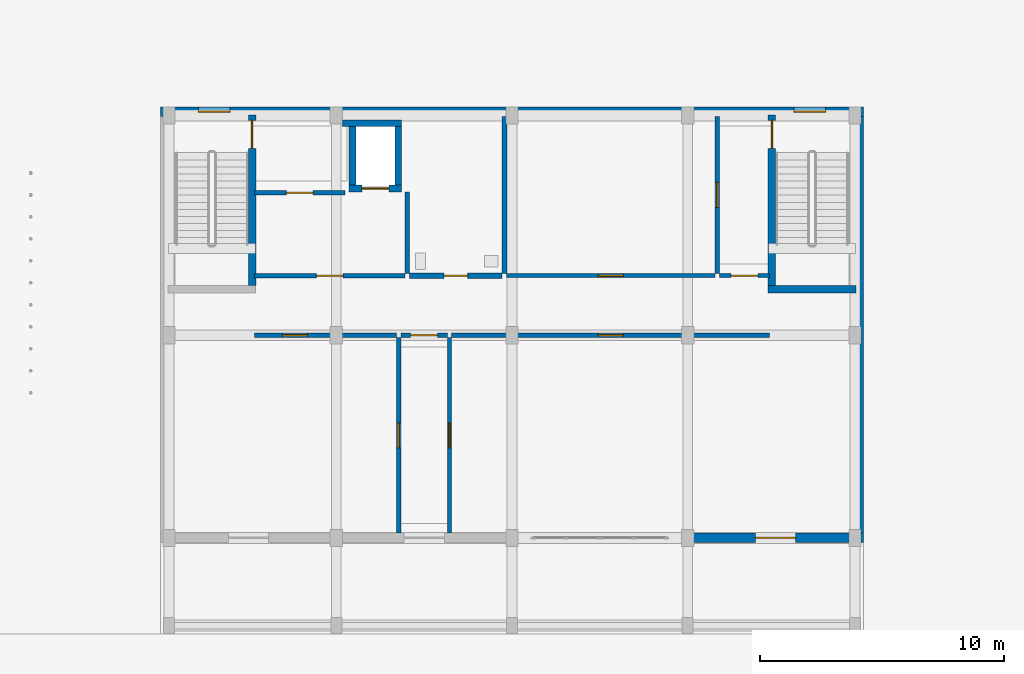
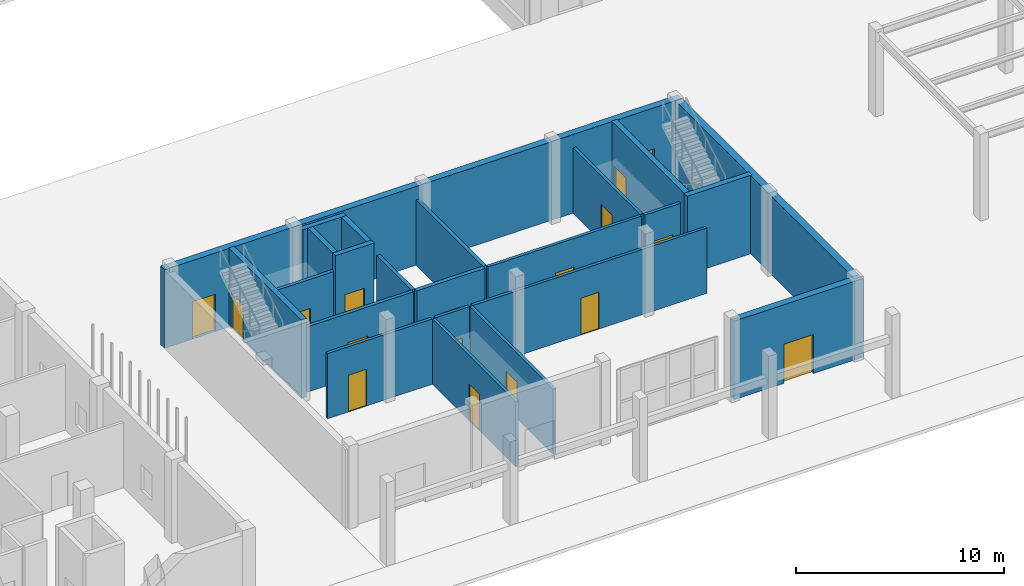
# One storey, part 38 of 85: 23 walls, 17 doors, 17 openings.
"""IFC4 building model written with IfcOpenShell, lengths in metres."""

from ifc_helpers import new_model, si_unit, derived_unit, direction, frame, frame_2d, origin, place, context, subcontext, project, spatial, rectangle, extrude, material, layer, layer_set, type_object, element, fill, save


model = new_model("IFC4")

# Units and contexts
model_context = context("Model", 3, precision=1e-05, world=origin(), true_north=direction((0.0, 1.0)))
body_context = subcontext(model_context, "Body", "Model", "MODEL_VIEW")
ifc_project = project(units=[si_unit("LENGTHUNIT", "METRE"), si_unit("AREAUNIT", "SQUARE_METRE"), si_unit("VOLUMEUNIT", "CUBIC_METRE"), si_unit("PLANEANGLEUNIT", "RADIAN"), si_unit("MASSUNIT", "GRAM", prefix="KILO"), derived_unit("THERMALTRANSMITTANCEUNIT", [(si_unit("MASSUNIT", "GRAM", prefix="KILO"), 1), (si_unit("TIMEUNIT", "SECOND"), -3), (si_unit("THERMODYNAMICTEMPERATUREUNIT", "KELVIN"), -1)])], contexts=[model_context])

# Site, building, storey
site_placement = place(None, origin())
site = spatial("IfcSite", under=ifc_project, at=site_placement, CompositionType="ELEMENT")
building_placement = place(site_placement, origin())
building = spatial("IfcBuilding", under=site, at=building_placement, Name="Ochrekiln Boulevard Commons", CompositionType="ELEMENT")
storey_placement = place(building_placement, origin())
storey = spatial("IfcBuildingStorey", under=building, at=storey_placement, Name="L00", CompositionType="ELEMENT", Elevation=0.0)

# Wall, openings, doors
ifc_material_1 = material(Name="Desert ochre clinker brick masonry ASTM C216 Grade SW", Category="masonry")
ifc_layer_1 = layer(ifc_material_1, 0.3798828125)
ifc_layer_set_1 = layer_set([ifc_layer_1], Name="Desert ochre clinker brick masonry ASTM C216 Grade SW")
wall_type_1 = type_object("IfcWallType", Name="WL-EXT-ARC-380", PredefinedType="SOLIDWALL", material=ifc_layer_set_1)
wall_1_placement = place(storey_placement, frame((28.800048828125, 21.409912109375, 0.0), z_axis=(0.0, 0.0, 1.0), x_axis=(1.0, 0.0, 0.0)))
wall_1 = element("IfcWall", 1, at=wall_1_placement, inside=storey, type_object=wall_type_1, Name="West Boulevard Arcade L00 N Exterior Wall", PredefinedType="SOLIDWALL", context=body_context, shape_type="SweptSolid", body=[
    extrude(rectangle(XDim=28.800048828125, YDim=0.3798828125, at=frame_2d((14.39990234375, 0.0))), origin(), (0.0, 0.0, 1.0), 4.625),
])
opening_1_placement = place(wall_1_placement, frame((1.550048828125, 0.0, 0.0)))
opening_1 = element("IfcOpeningElement", 2, at=opening_1_placement, cuts=wall_1, Name="Opening D-L00-AW1", PredefinedType="OPENING", context=body_context, shape_type="SweptSolid", body=[
    extrude(rectangle(XDim=1.300048828125, YDim=2.199951171875, at=frame_2d((0.64990234375, 1.10009765625))), frame((0.0, 0.199951171875, 0.0), z_axis=(0.0, -1.0, 0.0), x_axis=(1.0, 0.0, 0.0)), (0.0, 0.0, 1.0), 0.39990234375),
])
opening_2_placement = place(wall_1_placement, frame((25.949951171875, 0.0, 0.0)))
opening_2 = element("IfcOpeningElement", 3, at=opening_2_placement, cuts=wall_1, Name="Opening D-L00-AW2", PredefinedType="OPENING", context=body_context, shape_type="SweptSolid", body=[
    extrude(rectangle(XDim=1.300048828125, YDim=2.199951171875, at=frame_2d((0.64990234375, 1.10009765625))), frame((0.0, 0.199951171875, 0.0), z_axis=(0.0, -1.0, 0.0), x_axis=(1.0, 0.0, 0.0)), (0.0, 0.0, 1.0), 0.39990234375),
])
ifc_material_2 = material(Name="Bronze-anodized extruded aluminium 6063-T6", Category="aluminium")
door_type_1 = type_object("IfcDoorType", Name="DR-EXT-STAIR-130", OperationType="NOTDEFINED", PredefinedType="DOOR", material=ifc_material_2)
door_1_placement = place(opening_1_placement, origin())
door_1 = element("IfcDoor", 4, at=door_1_placement, inside=storey, type_object=door_type_1, Name="West Boulevard Arcade Stair ST-W1 Exterior Exit Door", OperationType="SINGLE_SWING_LEFT", OverallHeight=2.199951171875, OverallWidth=1.300048828125, PredefinedType="DOOR", context=body_context, shape_type="SweptSolid", body=[
    extrude(rectangle(XDim=1.300048828125, YDim=2.199951171875, at=frame_2d((0.64990234375, 1.10009765625))), frame((0.0, 0.02490234375, 0.0), z_axis=(0.0, -1.0, 0.0), x_axis=(1.0, 0.0, 0.0)), (0.0, 0.0, 1.0), 0.050048828125),
])
fill(opening_1, door_1)
door_2_placement = place(opening_2_placement, origin())
door_2 = element("IfcDoor", 5, at=door_2_placement, inside=storey, type_object=door_type_1, Name="West Boulevard Arcade Stair ST-W2 Exterior Exit Door", OperationType="SINGLE_SWING_LEFT", OverallHeight=2.199951171875, OverallWidth=1.300048828125, PredefinedType="DOOR", context=body_context, shape_type="SweptSolid", body=[
    extrude(rectangle(XDim=1.300048828125, YDim=2.199951171875, at=frame_2d((0.64990234375, 1.10009765625))), frame((0.0, 0.02490234375, 0.0), z_axis=(0.0, -1.0, 0.0), x_axis=(1.0, 0.0, 0.0)), (0.0, 0.0, 1.0), 0.050048828125),
])
fill(opening_2, door_2)

# Wall
wall_2_placement = place(storey_placement, frame((57.409912109375, 4.139892578125, 0.0), z_axis=(0.0, 0.0, 1.0), x_axis=(0.0, 1.0, 0.0)))
element("IfcWall", 6, at=wall_2_placement, inside=storey, type_object=wall_type_1, Name="West Boulevard Arcade L00 E Exterior Wall", PredefinedType="SOLIDWALL", context=body_context, shape_type="SweptSolid", body=[
    extrude(rectangle(XDim=17.080078125, YDim=0.3798828125, at=frame_2d((8.5400390625, 0.0))), origin(), (0.0, 0.0, 1.0), 4.625),
])

# Wall, opening, door
wall_3_placement = place(storey_placement, frame((50.39990234375, 3.949951171875, 0.0), z_axis=(0.0, 0.0, 1.0), x_axis=(1.0, 0.0, 0.0)))
wall_3 = element("IfcWall", 7, at=wall_3_placement, inside=storey, type_object=wall_type_1, Name="West Boulevard Arcade Shopfront Portal Wall 4", PredefinedType="SOLIDWALL", context=body_context, shape_type="SweptSolid", body=[
    extrude(rectangle(XDim=7.2001953125, YDim=0.3798828125, at=frame_2d((3.60009765625, 0.0))), origin(), (0.0, 0.0, 1.0), 4.625),
])
opening_3_placement = place(wall_3_placement, frame((2.77490234375, 0.0, 0.0)))
opening_3 = element("IfcOpeningElement", 8, at=opening_3_placement, cuts=wall_3, Name="Opening D-L00-SHW4", PredefinedType="OPENING", context=body_context, shape_type="SweptSolid", body=[
    extrude(rectangle(XDim=1.64990234375, YDim=2.300048828125, at=frame_2d((0.824951171875, 1.14990234375))), frame((0.0, 0.199951171875, 0.0), z_axis=(0.0, -1.0, 0.0), x_axis=(1.0, 0.0, 0.0)), (0.0, 0.0, 1.0), 0.39990234375),
])
door_type_2 = type_object("IfcDoorType", Name="DR-EXT-SHOP-165", OperationType="DOUBLE_DOOR_SINGLE_SWING", PredefinedType="DOOR", material=ifc_material_2)
door_3_placement = place(opening_3_placement, frame((1.64990234375, 0.0, 0.0), z_axis=(0.0, 0.0, 1.0), x_axis=(-1.0, 0.0, 0.0)))
door_3 = element("IfcDoor", 9, at=door_3_placement, inside=storey, type_object=door_type_2, Name="West Boulevard Arcade Retail Shop Entrance Door 4", OperationType="DOUBLE_DOOR_SINGLE_SWING", OverallHeight=2.300048828125, OverallWidth=1.64990234375, PredefinedType="DOOR", context=body_context, shape_type="SweptSolid", body=[
    extrude(rectangle(XDim=1.64990234375, YDim=2.300048828125, at=frame_2d((0.824951171875, 1.14990234375))), frame((0.0, 0.02490234375, 0.0), z_axis=(0.0, -1.0, 0.0), x_axis=(1.0, 0.0, 0.0)), (0.0, 0.0, 1.0), 0.050048828125),
])
fill(opening_3, door_3)

# Walls
ifc_material_3 = material(Name="Moisture-resistant cementitious tile backer wall")
ifc_layer_2 = layer(ifc_material_3, 0.199951171875)
ifc_layer_set_2 = layer_set([ifc_layer_2], Name="Moisture-resistant cementitious tile backer wall")
wall_type_2 = type_object("IfcWallType", Name="WL-PLM-200", PredefinedType="PLUMBINGWALL", material=ifc_layer_set_2)
wall_4_placement = place(storey_placement, frame((38.909912109375, 14.780029296875, 0.0), z_axis=(0.0, 0.0, 1.0), x_axis=(0.0, 1.0, 0.0)))
element("IfcWall", 10, at=wall_4_placement, inside=storey, type_object=wall_type_2, Name="L00 Interior Wall W-PW200", PredefinedType="PLUMBINGWALL", context=body_context, shape_type="SweptSolid", body=[
    extrude(rectangle(XDim=3.344970703125, YDim=0.199951171875, at=frame_2d((1.67236328125, 0.0))), origin(), (0.0, 0.0, 1.0), 3.840087890625),
])
wall_5_placement = place(storey_placement, frame((42.889892578125, 14.77197265625, 0.0), z_axis=(0.0, 0.0, 1.0), x_axis=(0.0, 1.0, 0.0)))
element("IfcWall", 11, at=wall_5_placement, inside=storey, type_object=wall_type_2, Name="L00 Interior Wall W-PW200", PredefinedType="PLUMBINGWALL", context=body_context, shape_type="SweptSolid", body=[
    extrude(rectangle(XDim=6.447998046875, YDim=0.199951171875, at=frame_2d((3.22412109375, 0.0))), origin(), (0.0, 0.0, 1.0), 3.840087890625),
])

# Wall, opening, door
ifc_layer_3 = layer(ifc_material_3, 0.219970703125)
ifc_layer_set_3 = layer_set([ifc_layer_3], Name="Moisture-resistant cementitious tile backer wall")
wall_type_3 = type_object("IfcWallType", Name="WL-PLM-220", PredefinedType="PLUMBINGWALL", material=ifc_layer_set_3)
wall_6_placement = place(storey_placement, frame((39.0, 14.68994140625, 0.0), z_axis=(0.0, 0.0, 1.0), x_axis=(1.0, 0.0, 0.0)))
wall_6 = element("IfcWall", 12, at=wall_6_placement, inside=storey, type_object=wall_type_3, Name="L00 Interior Wall W-PW220", PredefinedType="PLUMBINGWALL", context=body_context, shape_type="SweptSolid", body=[
    extrude(rectangle(XDim=3.800048828125, YDim=0.219970703125, at=frame_2d((1.89990234375, 0.0))), origin(), (0.0, 0.0, 1.0), 3.840087890625),
])
opening_4_placement = place(wall_6_placement, frame((1.419921875, 0.0, 0.0)))
opening_4 = element("IfcOpeningElement", 13, at=opening_4_placement, cuts=wall_6, Name="Opening D-L00-134", PredefinedType="OPENING", context=body_context, shape_type="SweptSolid", body=[
    extrude(rectangle(XDim=0.9599609375, YDim=2.050048828125, at=frame_2d((0.47998046875, 1.02490234375))), frame((0.0, 0.119873046875, 0.0), z_axis=(0.0, -1.0, 0.0), x_axis=(1.0, 0.0, 0.0)), (0.0, 0.0, 1.0), 0.239990234375),
])
ifc_material_4 = material(Name="Solid core architectural oak door leaf")
door_type_3 = type_object("IfcDoorType", Name="DR-INT-ADA-096", OperationType="NOTDEFINED", PredefinedType="DOOR", material=ifc_material_4)
door_4_placement = place(opening_4_placement, origin())
door_4 = element("IfcDoor", 14, at=door_4_placement, inside=storey, type_object=door_type_3, Name="L00 Interior Door to Shopfront Accessible WC", OperationType="SINGLE_SWING_RIGHT", OverallHeight=2.050048828125, OverallWidth=0.9599609375, PredefinedType="DOOR", context=body_context, shape_type="SweptSolid", body=[
    extrude(rectangle(XDim=0.9599609375, YDim=2.050048828125, at=frame_2d((0.47998046875, 1.02490234375))), frame((0.0, 0.02490234375, 0.0), z_axis=(0.0, -1.0, 0.0), x_axis=(1.0, 0.0, 0.0)), (0.0, 0.0, 1.0), 0.050048828125),
])
fill(opening_4, door_4)

ifc_material_5 = material(Name="Fire-rated Type X gypsum board on steel studs", Category="steel")
ifc_layer_4 = layer(ifc_material_5, 0.1650390625)
ifc_layer_set_4 = layer_set([ifc_layer_4], Name="Fire-rated Type X gypsum board on steel studs")
wall_type_4 = type_object("IfcWallType", Name="WL-PT-CORR-165", PredefinedType="PARTITIONING", material=ifc_layer_set_4)
wall_7_placement = place(storey_placement, frame((38.64990234375, 12.25, 0.0), z_axis=(0.0, 0.0, 1.0), x_axis=(1.0, 0.0, 0.0)))
wall_7 = element("IfcWall", 15, at=wall_7_placement, inside=storey, type_object=wall_type_4, Name="L00 Interior Wall W-PC165", PredefinedType="PARTITIONING", context=body_context, shape_type="SweptSolid", body=[
    extrude(rectangle(XDim=1.900146484375, YDim=0.1650390625, at=frame_2d((0.9501953125, 0.0))), origin(), (0.0, 0.0, 1.0), 3.840087890625),
])
opening_5_placement = place(wall_7_placement, frame((0.39990234375, 0.0, 0.0)))
opening_5 = element("IfcOpeningElement", 16, at=opening_5_placement, cuts=wall_7, Name="Opening D-L00-126", PredefinedType="OPENING", context=body_context, shape_type="SweptSolid", body=[
    extrude(rectangle(XDim=1.10009765625, YDim=2.1201171875, at=frame_2d((0.550048828125, 1.06005859375))), frame((0.0, 0.092529296875, 0.0), z_axis=(0.0, -1.0, 0.0), x_axis=(1.0, 0.0, 0.0)), (0.0, 0.0, 1.0), 0.18505859375),
])
ifc_material_6 = material(Name="Hollow metal fire-rated steel door assembly", Category="steel")
door_type_4 = type_object("IfcDoorType", Name="DR-LOBBY-60", OperationType="NOTDEFINED", PredefinedType="DOOR", material=ifc_material_6)
door_5_placement = place(opening_5_placement, origin())
door_5 = element("IfcDoor", 17, at=door_5_placement, inside=storey, type_object=door_type_4, Name="L00 Interior Door to Arcade Rear Service Corridor", OperationType="SINGLE_SWING_RIGHT", OverallHeight=2.1201171875, OverallWidth=1.10009765625, PredefinedType="DOOR", context=body_context, shape_type="SweptSolid", body=[
    extrude(rectangle(XDim=1.10009765625, YDim=2.1201171875, at=frame_2d((0.550048828125, 1.06005859375))), frame((0.0, 0.02490234375, 0.0), z_axis=(0.0, -1.0, 0.0), x_axis=(1.0, 0.0, 0.0)), (0.0, 0.0, 1.0), 0.050048828125),
])
fill(opening_5, door_5)

wall_8_placement = place(storey_placement, frame((38.56005859375, 4.139892578125, 0.0), z_axis=(0.0, 0.0, 1.0), x_axis=(0.0, 1.0, 0.0)))
wall_8 = element("IfcWall", 18, at=wall_8_placement, inside=storey, type_object=wall_type_4, Name="L00 Interior Wall W-PC165", PredefinedType="PARTITIONING", context=body_context, shape_type="SweptSolid", body=[
    extrude(rectangle(XDim=8.028076171875, YDim=0.1650390625, at=frame_2d((4.01416015625, 0.0))), origin(), (0.0, 0.0, 1.0), 3.840087890625),
])
opening_6_placement = place(wall_8_placement, frame((3.5, 0.0, 0.0)))
opening_6 = element("IfcOpeningElement", 19, at=opening_6_placement, cuts=wall_8, Name="Opening D-L00-127", PredefinedType="OPENING", context=body_context, shape_type="SweptSolid", body=[
    extrude(rectangle(XDim=1.02001953125, YDim=2.159912109375, at=frame_2d((0.510009765625, 1.080078125))), frame((0.0, 0.092529296875, 0.0), z_axis=(0.0, -1.0, 0.0), x_axis=(1.0, 0.0, 0.0)), (0.0, 0.0, 1.0), 0.18505859375),
])
door_type_5 = type_object("IfcDoorType", Name="DR-INT-CIV-102", OperationType="NOTDEFINED", PredefinedType="DOOR", material=ifc_material_4)
door_6_placement = place(opening_6_placement, origin())
door_6 = element("IfcDoor", 20, at=door_6_placement, inside=storey, type_object=door_type_5, Name="L00 Interior Door to Neighborhood Grocery Co-op Retail Shop", OperationType="SINGLE_SWING_LEFT", OverallHeight=2.159912109375, OverallWidth=1.02001953125, PredefinedType="DOOR", context=body_context, shape_type="SweptSolid", body=[
    extrude(rectangle(XDim=1.02001953125, YDim=2.159912109375, at=frame_2d((0.510009765625, 1.080078125))), frame((0.0, 0.02490234375, 0.0), z_axis=(0.0, -1.0, 0.0), x_axis=(1.0, 0.0, 0.0)), (0.0, 0.0, 1.0), 0.050048828125),
])
fill(opening_6, door_6)

wall_9_placement = place(storey_placement, frame((40.639892578125, 4.139892578125, 0.0), z_axis=(0.0, 0.0, 1.0), x_axis=(0.0, 1.0, 0.0)))
wall_9 = element("IfcWall", 21, at=wall_9_placement, inside=storey, type_object=wall_type_4, Name="L00 Interior Wall W-PC165", PredefinedType="PARTITIONING", context=body_context, shape_type="SweptSolid", body=[
    extrude(rectangle(XDim=8.028076171875, YDim=0.1650390625, at=frame_2d((4.01416015625, 0.0))), origin(), (0.0, 0.0, 1.0), 3.840087890625),
])
opening_7_placement = place(wall_9_placement, frame((3.5, 0.0, 0.0)))
opening_7 = element("IfcOpeningElement", 22, at=opening_7_placement, cuts=wall_9, Name="Opening D-L00-128", PredefinedType="OPENING", context=body_context, shape_type="SweptSolid", body=[
    extrude(rectangle(XDim=1.02001953125, YDim=2.159912109375, at=frame_2d((0.510009765625, 1.080078125))), frame((0.0, 0.092529296875, 0.0), z_axis=(0.0, -1.0, 0.0), x_axis=(1.0, 0.0, 0.0)), (0.0, 0.0, 1.0), 0.18505859375),
])
door_7_placement = place(opening_7_placement, frame((1.02001953125, 0.0, 0.0), z_axis=(0.0, 0.0, 1.0), x_axis=(-1.0, 0.0, 0.0)))
door_7 = element("IfcDoor", 23, at=door_7_placement, inside=storey, type_object=door_type_5, Name="L00 Interior Door to Community Pharmacy and Dry Goods Retail Shop", OperationType="SINGLE_SWING_RIGHT", OverallHeight=2.159912109375, OverallWidth=1.02001953125, PredefinedType="DOOR", context=body_context, shape_type="SweptSolid", body=[
    extrude(rectangle(XDim=1.02001953125, YDim=2.159912109375, at=frame_2d((0.510009765625, 1.080078125))), frame((0.0, 0.02490234375, 0.0), z_axis=(0.0, -1.0, 0.0), x_axis=(1.0, 0.0, 0.0)), (0.0, 0.0, 1.0), 0.050048828125),
])
fill(opening_7, door_7)

wall_10_placement = place(storey_placement, frame((51.699951171875, 14.68994140625, 0.0), z_axis=(0.0, 0.0, 1.0), x_axis=(1.0, 0.0, 0.0)))
wall_10 = element("IfcWall", 24, at=wall_10_placement, inside=storey, type_object=wall_type_4, Name="L00 Interior Wall W-PC165", PredefinedType="PARTITIONING", context=body_context, shape_type="SweptSolid", body=[
    extrude(rectangle(XDim=2.050048828125, YDim=0.1650390625, at=frame_2d((1.02490234375, 0.0))), origin(), (0.0, 0.0, 1.0), 3.840087890625),
])
opening_8_placement = place(wall_10_placement, frame((0.47509765625, 0.0, 0.0)))
opening_8 = element("IfcOpeningElement", 25, at=opening_8_placement, cuts=wall_10, Name="Opening D-L00-131", PredefinedType="OPENING", context=body_context, shape_type="SweptSolid", body=[
    extrude(rectangle(XDim=1.10009765625, YDim=2.1201171875, at=frame_2d((0.550048828125, 1.06005859375))), frame((0.0, 0.092529296875, 0.0), z_axis=(0.0, -1.0, 0.0), x_axis=(1.0, 0.0, 0.0)), (0.0, 0.0, 1.0), 0.18505859375),
])
door_8_placement = place(opening_8_placement, origin())
door_8 = element("IfcDoor", 26, at=door_8_placement, inside=storey, type_object=door_type_4, Name="L00 Interior Door to Arcade East Stair Corridor", OperationType="SINGLE_SWING_LEFT", OverallHeight=2.1201171875, OverallWidth=1.10009765625, PredefinedType="DOOR", context=body_context, shape_type="SweptSolid", body=[
    extrude(rectangle(XDim=1.10009765625, YDim=2.1201171875, at=frame_2d((0.550048828125, 1.06005859375))), frame((0.0, 0.02490234375, 0.0), z_axis=(0.0, -1.0, 0.0), x_axis=(1.0, 0.0, 0.0)), (0.0, 0.0, 1.0), 0.050048828125),
])
fill(opening_8, door_8)

wall_11_placement = place(storey_placement, frame((32.64990234375, 12.25, 0.0), z_axis=(0.0, 0.0, 1.0), x_axis=(1.0, 0.0, 0.0)))
wall_11 = element("IfcWall", 27, at=wall_11_placement, inside=storey, type_object=wall_type_4, Name="L00 Interior Wall W-PC165", PredefinedType="PARTITIONING", context=body_context, shape_type="SweptSolid", body=[
    extrude(rectangle(XDim=5.8271484375, YDim=0.1650390625, at=frame_2d((2.91357421875, 0.0))), origin(), (0.0, 0.0, 1.0), 3.840087890625),
])
opening_9_placement = place(wall_11_placement, frame((1.14990234375, 0.0, 0.0)))
opening_9 = element("IfcOpeningElement", 28, at=opening_9_placement, cuts=wall_11, Name="Opening D-L00-132", PredefinedType="OPENING", context=body_context, shape_type="SweptSolid", body=[
    extrude(rectangle(XDim=1.02001953125, YDim=2.159912109375, at=frame_2d((0.510009765625, 1.080078125))), frame((0.0, 0.092529296875, 0.0), z_axis=(0.0, -1.0, 0.0), x_axis=(1.0, 0.0, 0.0)), (0.0, 0.0, 1.0), 0.18505859375),
])
door_9_placement = place(opening_9_placement, frame((1.02001953125, 0.0, 0.0), z_axis=(0.0, 0.0, 1.0), x_axis=(-1.0, 0.0, 0.0)))
door_9 = element("IfcDoor", 29, at=door_9_placement, inside=storey, type_object=door_type_5, Name="L00 Interior Door to Neighborhood Grocery Co-op Retail Shop", OperationType="SINGLE_SWING_RIGHT", OverallHeight=2.159912109375, OverallWidth=1.02001953125, PredefinedType="DOOR", context=body_context, shape_type="SweptSolid", body=[
    extrude(rectangle(XDim=1.02001953125, YDim=2.159912109375, at=frame_2d((0.510009765625, 1.080078125))), frame((0.0, 0.02490234375, 0.0), z_axis=(0.0, -1.0, 0.0), x_axis=(1.0, 0.0, 0.0)), (0.0, 0.0, 1.0), 0.050048828125),
])
fill(opening_9, door_9)

wall_12_placement = place(storey_placement, frame((40.722900390625, 12.25, 0.0), z_axis=(0.0, 0.0, 1.0), x_axis=(1.0, 0.0, 0.0)))
wall_12 = element("IfcWall", 30, at=wall_12_placement, inside=storey, type_object=wall_type_4, Name="L00 Interior Wall W-PC165", PredefinedType="PARTITIONING", context=body_context, shape_type="SweptSolid", body=[
    extrude(rectangle(XDim=13.027099609375, YDim=0.1650390625, at=frame_2d((6.513671875, 0.0))), origin(), (0.0, 0.0, 1.0), 3.840087890625),
])
opening_10_placement = place(wall_12_placement, frame((6.007080078125, 0.0, 0.0)))
opening_10 = element("IfcOpeningElement", 31, at=opening_10_placement, cuts=wall_12, Name="Opening D-L00-133", PredefinedType="OPENING", context=body_context, shape_type="SweptSolid", body=[
    extrude(rectangle(XDim=1.02001953125, YDim=2.159912109375, at=frame_2d((0.510009765625, 1.080078125))), frame((0.0, 0.092529296875, 0.0), z_axis=(0.0, -1.0, 0.0), x_axis=(1.0, 0.0, 0.0)), (0.0, 0.0, 1.0), 0.18505859375),
])
door_10_placement = place(opening_10_placement, frame((1.02001953125, 0.0, 0.0), z_axis=(0.0, 0.0, 1.0), x_axis=(-1.0, 0.0, 0.0)))
door_10 = element("IfcDoor", 32, at=door_10_placement, inside=storey, type_object=door_type_5, Name="L00 Interior Door to Community Pharmacy and Dry Goods Retail Shop", OperationType="SINGLE_SWING_LEFT", OverallHeight=2.159912109375, OverallWidth=1.02001953125, PredefinedType="DOOR", context=body_context, shape_type="SweptSolid", body=[
    extrude(rectangle(XDim=1.02001953125, YDim=2.159912109375, at=frame_2d((0.510009765625, 1.080078125))), frame((0.0, 0.02490234375, 0.0), z_axis=(0.0, -1.0, 0.0), x_axis=(1.0, 0.0, 0.0)), (0.0, 0.0, 1.0), 0.050048828125),
])
fill(opening_10, door_10)

wall_13_placement = place(storey_placement, frame((42.97998046875, 14.68994140625, 0.0), z_axis=(0.0, 0.0, 1.0), x_axis=(1.0, 0.0, 0.0)))
wall_13 = element("IfcWall", 33, at=wall_13_placement, inside=storey, type_object=wall_type_4, Name="L00 Interior Wall W-PC165", PredefinedType="PARTITIONING", context=body_context, shape_type="SweptSolid", body=[
    extrude(rectangle(XDim=8.5400390625, YDim=0.1650390625, at=frame_2d((4.27001953125, 0.0))), origin(), (0.0, 0.0, 1.0), 3.840087890625),
])
opening_11_placement = place(wall_13_placement, frame((3.760009765625, 0.0, 0.0)))
opening_11 = element("IfcOpeningElement", 34, at=opening_11_placement, cuts=wall_13, Name="Opening D-L00-135", PredefinedType="OPENING", context=body_context, shape_type="SweptSolid", body=[
    extrude(rectangle(XDim=1.02001953125, YDim=2.159912109375, at=frame_2d((0.510009765625, 1.080078125))), frame((0.0, 0.092529296875, 0.0), z_axis=(0.0, -1.0, 0.0), x_axis=(1.0, 0.0, 0.0)), (0.0, 0.0, 1.0), 0.18505859375),
])
door_11_placement = place(opening_11_placement, origin())
door_11 = element("IfcDoor", 35, at=door_11_placement, inside=storey, type_object=door_type_5, Name="L00 Interior Door to Cafe Kitchen and Retail Stockroom", OperationType="SINGLE_SWING_LEFT", OverallHeight=2.159912109375, OverallWidth=1.02001953125, PredefinedType="DOOR", context=body_context, shape_type="SweptSolid", body=[
    extrude(rectangle(XDim=1.02001953125, YDim=2.159912109375, at=frame_2d((0.510009765625, 1.080078125))), frame((0.0, 0.02490234375, 0.0), z_axis=(0.0, -1.0, 0.0), x_axis=(1.0, 0.0, 0.0)), (0.0, 0.0, 1.0), 0.050048828125),
])
fill(opening_11, door_11)

wall_14_placement = place(storey_placement, frame((51.610107421875, 14.77197265625, 0.0), z_axis=(0.0, 0.0, 1.0), x_axis=(0.0, 1.0, 0.0)))
wall_14 = element("IfcWall", 36, at=wall_14_placement, inside=storey, type_object=wall_type_4, Name="L00 Interior Wall W-PC165", PredefinedType="PARTITIONING", context=body_context, shape_type="SweptSolid", body=[
    extrude(rectangle(XDim=6.447998046875, YDim=0.1650390625, at=frame_2d((3.22412109375, 0.0))), origin(), (0.0, 0.0, 1.0), 3.840087890625),
])
opening_12_placement = place(wall_14_placement, frame((2.718017578125, 0.0, 0.0)))
opening_12 = element("IfcOpeningElement", 37, at=opening_12_placement, cuts=wall_14, Name="Opening D-L00-136", PredefinedType="OPENING", context=body_context, shape_type="SweptSolid", body=[
    extrude(rectangle(XDim=1.02001953125, YDim=2.159912109375, at=frame_2d((0.510009765625, 1.080078125))), frame((0.0, 0.092529296875, 0.0), z_axis=(0.0, -1.0, 0.0), x_axis=(1.0, 0.0, 0.0)), (0.0, 0.0, 1.0), 0.18505859375),
])
door_12_placement = place(opening_12_placement, origin())
door_12 = element("IfcDoor", 38, at=door_12_placement, inside=storey, type_object=door_type_5, Name="L00 Interior Door to Cafe Kitchen and Retail Stockroom", OperationType="SINGLE_SWING_RIGHT", OverallHeight=2.159912109375, OverallWidth=1.02001953125, PredefinedType="DOOR", context=body_context, shape_type="SweptSolid", body=[
    extrude(rectangle(XDim=1.02001953125, YDim=2.159912109375, at=frame_2d((0.510009765625, 1.080078125))), frame((0.0, 0.02490234375, 0.0), z_axis=(0.0, -1.0, 0.0), x_axis=(1.0, 0.0, 0.0)), (0.0, 0.0, 1.0), 0.050048828125),
])
fill(opening_12, door_12)

ifc_layer_5 = layer(ifc_material_5, 0.18994140625)
ifc_layer_set_5 = layer_set([ifc_layer_5], Name="Fire-rated Type X gypsum board on steel studs")
wall_type_5 = type_object("IfcWallType", Name="WL-PT-LBY-190", PredefinedType="PARTITIONING", material=ifc_layer_set_5)
wall_15_placement = place(storey_placement, frame((32.64990234375, 18.090087890625, 0.0), z_axis=(0.0, 0.0, 1.0), x_axis=(1.0, 0.0, 0.0)))
wall_15 = element("IfcWall", 39, at=wall_15_placement, inside=storey, type_object=wall_type_5, Name="L00 Interior Wall W-PL190", PredefinedType="PARTITIONING", context=body_context, shape_type="SweptSolid", body=[
    extrude(rectangle(XDim=3.7001953125, YDim=0.18994140625, at=frame_2d((1.85009765625, 0.0))), origin(), (0.0, 0.0, 1.0), 3.840087890625),
])
opening_13_placement = place(wall_15_placement, frame((1.300048828125, 0.0, 0.0)))
opening_13 = element("IfcOpeningElement", 40, at=opening_13_placement, cuts=wall_15, Name="Opening D-L00-129", PredefinedType="OPENING", context=body_context, shape_type="SweptSolid", body=[
    extrude(rectangle(XDim=1.10009765625, YDim=2.1201171875, at=frame_2d((0.550048828125, 1.06005859375))), frame((0.0, 0.10498046875, 0.0), z_axis=(0.0, -1.0, 0.0), x_axis=(1.0, 0.0, 0.0)), (0.0, 0.0, 1.0), 0.2099609375),
])
door_13_placement = place(opening_13_placement, frame((1.10009765625, 0.0, 0.0), z_axis=(0.0, 0.0, 1.0), x_axis=(-1.0, 0.0, 0.0)))
door_13 = element("IfcDoor", 41, at=door_13_placement, inside=storey, type_object=door_type_4, Name="L00 Interior Door to Passenger Elevator Lobby", OperationType="SINGLE_SWING_LEFT", OverallHeight=2.1201171875, OverallWidth=1.10009765625, PredefinedType="DOOR", context=body_context, shape_type="SweptSolid", body=[
    extrude(rectangle(XDim=1.10009765625, YDim=2.1201171875, at=frame_2d((0.550048828125, 1.06005859375))), frame((0.0, 0.02490234375, 0.0), z_axis=(0.0, -1.0, 0.0), x_axis=(1.0, 0.0, 0.0)), (0.0, 0.0, 1.0), 0.050048828125),
])
fill(opening_13, door_13)

wall_16_placement = place(storey_placement, frame((32.64990234375, 14.68994140625, 0.0), z_axis=(0.0, 0.0, 1.0), x_axis=(1.0, 0.0, 0.0)))
wall_16 = element("IfcWall", 42, at=wall_16_placement, inside=storey, type_object=wall_type_5, Name="L00 Interior Wall W-PL190", PredefinedType="PARTITIONING", context=body_context, shape_type="SweptSolid", body=[
    extrude(rectangle(XDim=6.170166015625, YDim=0.18994140625, at=frame_2d((3.0849609375, 0.0))), origin(), (0.0, 0.0, 1.0), 3.840087890625),
])
opening_14_placement = place(wall_16_placement, frame((2.534912109375, 0.0, 0.0)))
opening_14 = element("IfcOpeningElement", 43, at=opening_14_placement, cuts=wall_16, Name="Opening D-L00-130", PredefinedType="OPENING", context=body_context, shape_type="SweptSolid", body=[
    extrude(rectangle(XDim=1.10009765625, YDim=2.1201171875, at=frame_2d((0.550048828125, 1.06005859375))), frame((0.0, 0.10498046875, 0.0), z_axis=(0.0, -1.0, 0.0), x_axis=(1.0, 0.0, 0.0)), (0.0, 0.0, 1.0), 0.2099609375),
])
door_14_placement = place(opening_14_placement, origin())
door_14 = element("IfcDoor", 44, at=door_14_placement, inside=storey, type_object=door_type_4, Name="L00 Interior Door to Passenger Elevator Lobby", OperationType="SINGLE_SWING_RIGHT", OverallHeight=2.1201171875, OverallWidth=1.10009765625, PredefinedType="DOOR", context=body_context, shape_type="SweptSolid", body=[
    extrude(rectangle(XDim=1.10009765625, YDim=2.1201171875, at=frame_2d((0.550048828125, 1.06005859375))), frame((0.0, 0.02490234375, 0.0), z_axis=(0.0, -1.0, 0.0), x_axis=(1.0, 0.0, 0.0)), (0.0, 0.0, 1.0), 0.050048828125),
])
fill(opening_14, door_14)

ifc_material_7 = material(Name="Concrete C40/50", Category="concrete")
ifc_layer_6 = layer(ifc_material_7, 0.27490234375)
ifc_layer_set_6 = layer_set([ifc_layer_6], Name="Concrete C40/50")
wall_type_6 = type_object("IfcWallType", Name="WL-SH-275", PredefinedType="SHEAR", material=ifc_layer_set_6)
wall_17_placement = place(storey_placement, frame((36.52490234375, 18.262451171875, 0.0), z_axis=(0.0, 0.0, 1.0), x_axis=(1.0, 0.0, 0.0)))
wall_17 = element("IfcWall", 45, at=wall_17_placement, inside=storey, type_object=wall_type_6, Name="Elevator LP-S1 L00 Hoistway Shear Wall", PredefinedType="SHEAR", context=body_context, shape_type="SweptSolid", body=[
    extrude(rectangle(XDim=2.150146484375, YDim=0.27490234375, at=frame_2d((1.0751953125, 0.0))), origin(), (0.0, 0.0, 1.0), 4.625),
])
opening_15_placement = place(wall_17_placement, frame((0.52490234375, 0.0, 0.0)))
opening_15 = element("IfcOpeningElement", 46, at=opening_15_placement, cuts=wall_17, Name="Opening LD-LP-S1-L00", PredefinedType="OPENING", context=body_context, shape_type="SweptSolid", body=[
    extrude(rectangle(XDim=1.10009765625, YDim=2.14990234375, at=frame_2d((0.550048828125, 1.074951171875))), frame((0.0, 0.1474609375, 0.0), z_axis=(0.0, -1.0, 0.0), x_axis=(1.0, 0.0, 0.0)), (0.0, 0.0, 1.0), 0.294921875),
])
ifc_material_8 = material(Name="Brushed stainless steel 316 elevator cab and doors", Category="steel")
door_type_6 = type_object("IfcDoorType", Name="DR-LIFT-LD90", OperationType="SLIDING_TO_LEFT", PredefinedType="DOOR", material=ifc_material_8)
door_15_placement = place(opening_15_placement, origin())
door_15 = element("IfcDoor", 47, at=door_15_placement, inside=storey, type_object=door_type_6, Name="Elevator LP-S1 L00 Sliding Landing Door LD-LP-S1-L00", OperationType="SLIDING_TO_LEFT", OverallHeight=2.14990234375, OverallWidth=1.10009765625, PredefinedType="DOOR", context=body_context, shape_type="SweptSolid", body=[
    extrude(rectangle(XDim=1.10009765625, YDim=2.14990234375, at=frame_2d((0.550048828125, 1.074951171875))), frame((0.0, 0.02490234375, 0.0), z_axis=(0.0, -1.0, 0.0), x_axis=(1.0, 0.0, 0.0)), (0.0, 0.0, 1.0), 0.050048828125),
])
fill(opening_15, door_15)

# Walls
wall_18_placement = place(storey_placement, frame((36.25, 20.9375, 0.0), z_axis=(0.0, 0.0, 1.0), x_axis=(1.0, 0.0, 0.0)))
element("IfcWall", 48, at=wall_18_placement, inside=storey, type_object=wall_type_6, Name="Elevator LP-S1 L00 Hoistway Shear Wall", PredefinedType="SHEAR", context=body_context, shape_type="SweptSolid", body=[
    extrude(rectangle(XDim=2.425048828125, YDim=0.27490234375, at=frame_2d((1.21240234375, 0.0))), origin(), (0.0, 0.0, 1.0), 4.625),
])
for number, where, z_axis, x_axis, name in (
    (49, (36.66259765625, 18.39990234375, 0.0), (0.0, 0.0, 1.0), (0.0, 1.0, 0.0), "Elevator LP-S1 L00 Hoistway Shear Wall"),
    (50, (38.53759765625, 18.39990234375, 0.0), (0.0, 0.0, 1.0), (0.0, 1.0, 0.0), "Elevator LP-S1 L00 Hoistway Shear Wall"),
):
    element("IfcWall", number, at=place(storey_placement, frame(where, z_axis=z_axis, x_axis=x_axis)), inside=storey, type_object=wall_type_6, Name=name, PredefinedType="SHEAR", context=body_context, shape_type="SweptSolid", body=[
        extrude(rectangle(XDim=2.400146484375, YDim=0.27490234375, at=frame_2d((1.2001953125, 0.0))), origin(), (0.0, 0.0, 1.0), 4.625),
    ])

# Wall, opening, door
ifc_layer_7 = layer(ifc_material_7, 0.300048828125)
ifc_layer_set_7 = layer_set([ifc_layer_7], Name="Concrete C40/50")
wall_type_7 = type_object("IfcWallType", Name="WL-SH-300", PredefinedType="SHEAR", material=ifc_layer_set_7)
wall_19_placement = place(storey_placement, frame((32.550048828125, 14.280029296875, 0.0), z_axis=(0.0, 0.0, 1.0), x_axis=(0.0, 1.0, 0.0)))
wall_19 = element("IfcWall", 51, at=wall_19_placement, inside=storey, type_object=wall_type_7, Name="Stair ST-W1 L00 Core Shear Wall E", PredefinedType="SHEAR", context=body_context, shape_type="SweptSolid", body=[
    extrude(rectangle(XDim=7.0, YDim=0.300048828125, at=frame_2d((3.5, 0.0))), origin(), (0.0, 0.0, 1.0), 4.625),
])
opening_16_placement = place(wall_19_placement, frame((5.625, 0.0, 0.0)))
opening_16 = element("IfcOpeningElement", 52, at=opening_16_placement, cuts=wall_19, Name="Opening D-L00-ST-W1", PredefinedType="OPENING", context=body_context, shape_type="SweptSolid", body=[
    extrude(rectangle(XDim=1.14990234375, YDim=2.1201171875, at=frame_2d((0.574951171875, 1.06005859375))), frame((0.0, 0.159912109375, 0.0), z_axis=(0.0, -1.0, 0.0), x_axis=(1.0, 0.0, 0.0)), (0.0, 0.0, 1.0), 0.320068359375),
])
door_type_7 = type_object("IfcDoorType", Name="DR-STAIR-90", OperationType="NOTDEFINED", PredefinedType="DOOR", material=ifc_material_6)
door_16_placement = place(opening_16_placement, origin())
door_16 = element("IfcDoor", 53, at=door_16_placement, inside=storey, type_object=door_type_7, Name="Enclosed Exit Stair ST-W1 L00 Rated Door", OperationType="SINGLE_SWING_LEFT", OverallHeight=2.1201171875, OverallWidth=1.14990234375, PredefinedType="DOOR", context=body_context, shape_type="SweptSolid", body=[
    extrude(rectangle(XDim=1.14990234375, YDim=2.1201171875, at=frame_2d((0.574951171875, 1.06005859375))), frame((0.0, 0.02490234375, 0.0), z_axis=(0.0, -1.0, 0.0), x_axis=(1.0, 0.0, 0.0)), (0.0, 0.0, 1.0), 0.050048828125),
])
fill(opening_16, door_16)

# Wall
wall_20_placement = place(storey_placement, frame((53.699951171875, 14.1298828125, 0.0), z_axis=(0.0, 0.0, 1.0), x_axis=(1.0, 0.0, 0.0)))
element("IfcWall", 54, at=wall_20_placement, inside=storey, type_object=wall_type_7, Name="Stair ST-W2 L00 Core Shear Wall S", PredefinedType="SHEAR", context=body_context, shape_type="SweptSolid", body=[
    extrude(rectangle(XDim=3.60009765625, YDim=0.300048828125, at=frame_2d((1.800048828125, 0.0))), origin(), (0.0, 0.0, 1.0), 4.625),
])

# Wall, opening, door
wall_21_placement = place(storey_placement, frame((53.85009765625, 14.280029296875, 0.0), z_axis=(0.0, 0.0, 1.0), x_axis=(0.0, 1.0, 0.0)))
wall_21 = element("IfcWall", 55, at=wall_21_placement, inside=storey, type_object=wall_type_7, Name="Stair ST-W2 L00 Core Shear Wall W", PredefinedType="SHEAR", context=body_context, shape_type="SweptSolid", body=[
    extrude(rectangle(XDim=7.0, YDim=0.300048828125, at=frame_2d((3.5, 0.0))), origin(), (0.0, 0.0, 1.0), 4.625),
])
opening_17_placement = place(wall_21_placement, frame((5.625, 0.0, 0.0)))
opening_17 = element("IfcOpeningElement", 56, at=opening_17_placement, cuts=wall_21, Name="Opening D-L00-ST-W2", PredefinedType="OPENING", context=body_context, shape_type="SweptSolid", body=[
    extrude(rectangle(XDim=1.14990234375, YDim=2.1201171875, at=frame_2d((0.574951171875, 1.06005859375))), frame((0.0, 0.159912109375, 0.0), z_axis=(0.0, -1.0, 0.0), x_axis=(1.0, 0.0, 0.0)), (0.0, 0.0, 1.0), 0.320068359375),
])
door_17_placement = place(opening_17_placement, frame((1.14990234375, 0.0, 0.0), z_axis=(0.0, 0.0, 1.0), x_axis=(-1.0, 0.0, 0.0)))
door_17 = element("IfcDoor", 57, at=door_17_placement, inside=storey, type_object=door_type_7, Name="Enclosed Exit Stair ST-W2 L00 Rated Door", OperationType="SINGLE_SWING_LEFT", OverallHeight=2.1201171875, OverallWidth=1.14990234375, PredefinedType="DOOR", context=body_context, shape_type="SweptSolid", body=[
    extrude(rectangle(XDim=1.14990234375, YDim=2.1201171875, at=frame_2d((0.574951171875, 1.06005859375))), frame((0.0, 0.02490234375, 0.0), z_axis=(0.0, -1.0, 0.0), x_axis=(1.0, 0.0, 0.0)), (0.0, 0.0, 1.0), 0.050048828125),
])
fill(opening_17, door_17)

save(model, "model.ifc")
